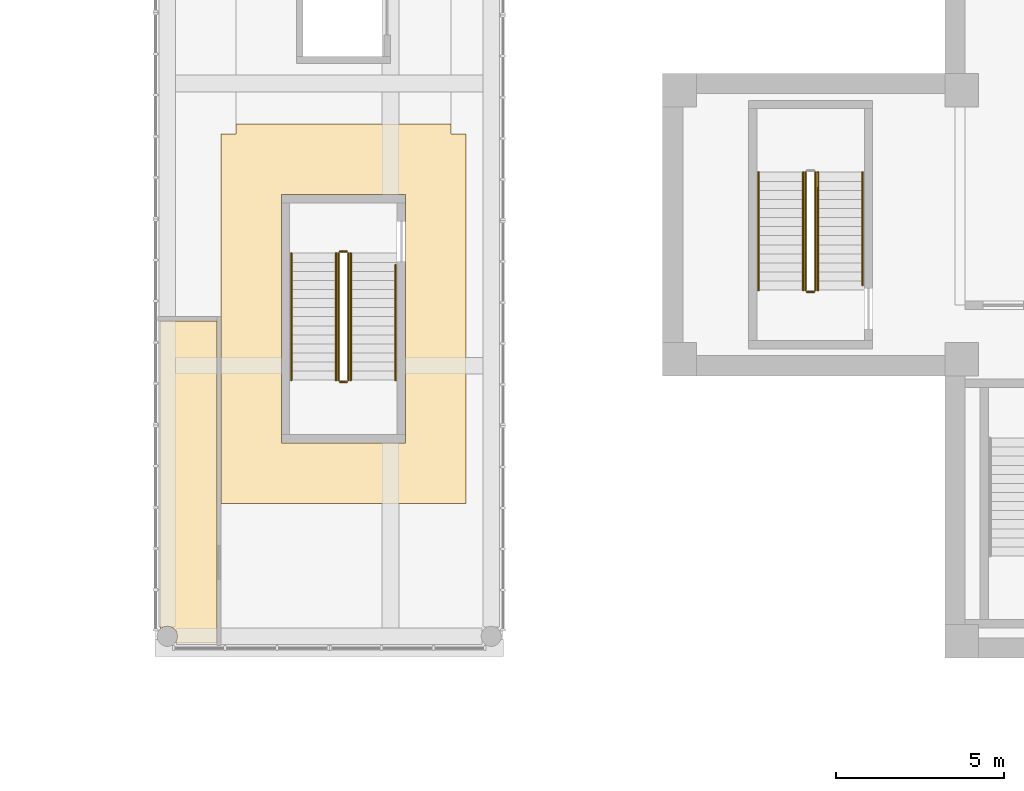
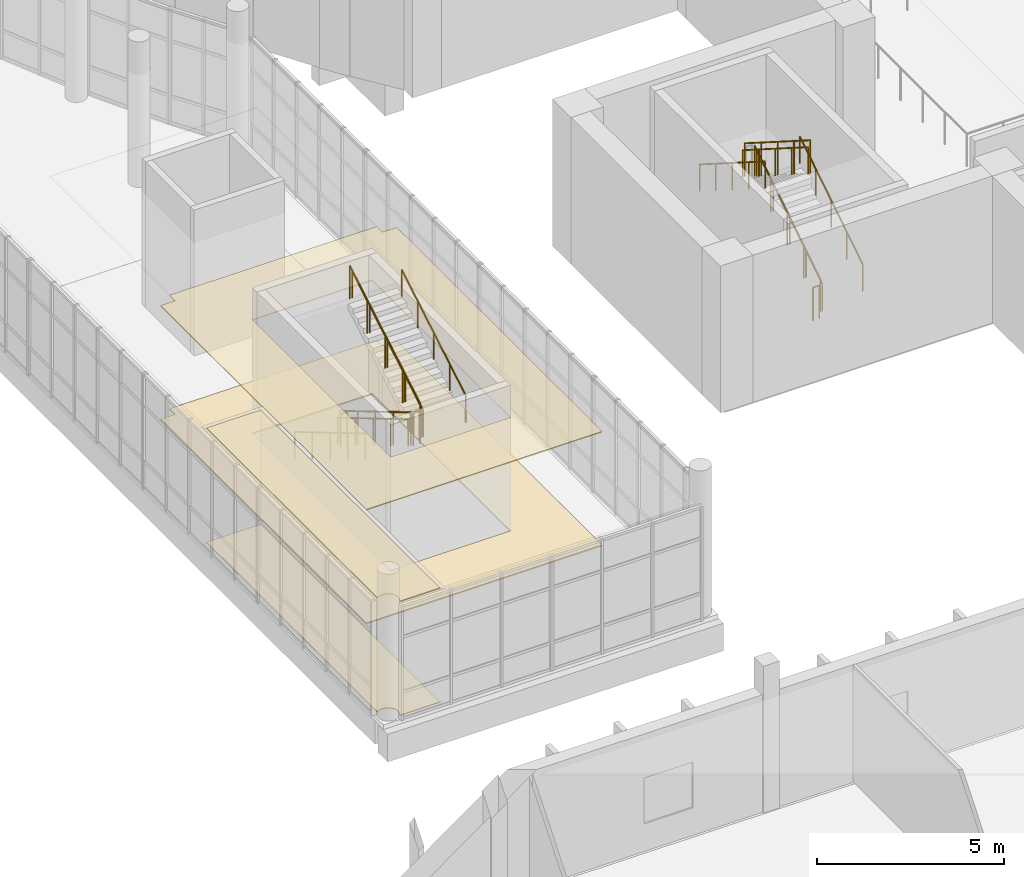
# One storey, part 89 of 119: 15 railings, 4 coverings.
"""IFC4 building model written with IfcOpenShell, lengths in metres."""

from ifc_helpers import new_model, si_unit, direction, frame, origin, origin_2d, place, context, subcontext, project, spatial, polyline, circle, outline, extrude, material, layer, layer_set, type_object, element, save


model = new_model("IFC4")

# Units and contexts
model_context = context("Model", 3, precision=1e-05, world=origin(), true_north=direction((0.0, 1.0)))
body_context = subcontext(model_context, "Body", "Model", "MODEL_VIEW")
ifc_project = project(units=[si_unit("LENGTHUNIT", "METRE"), si_unit("AREAUNIT", "SQUARE_METRE"), si_unit("VOLUMEUNIT", "CUBIC_METRE"), si_unit("PLANEANGLEUNIT", "RADIAN"), si_unit("MASSUNIT", "GRAM", prefix="KILO")], contexts=[model_context])

# Site, building, storey
site_placement = place(None, origin())
site = spatial("IfcSite", under=ifc_project, at=site_placement, CompositionType="ELEMENT")
building_placement = place(site_placement, origin())
building = spatial("IfcBuilding", under=site, at=building_placement, Name="Larchfold Concert Hall", CompositionType="ELEMENT")
storey_placement = place(building_placement, frame((0.0, 0.0, 4.800048828125)))
storey = spatial("IfcBuildingStorey", under=building, at=storey_placement, Name="L01", CompositionType="ELEMENT", Elevation=4.800048828125)

# Coverings
ifc_material_1 = material(Name="Plasterboard ceiling lining")
ifc_layer_1 = layer(ifc_material_1, 0.030029296875)
ifc_layer_set_1 = layer_set([ifc_layer_1], Name="Plasterboard ceiling lining")
covering_type_1 = type_object("IfcCoveringType", Name="Ceiling suspended plasterboard 30", PredefinedType="CEILING", material=ifc_layer_set_1)
covering_1_placement = place(storey_placement, frame((0.0, 0.0, 3.719970703125)))
element("IfcCovering", 1, at=covering_1_placement, inside=storey, type_object=covering_type_1, Name="Ceiling Foyer 04", PredefinedType="CEILING", context=body_context, shape_type="SweptSolid", body=[
    extrude(outline(polyline([(12.350830078125, 49.4990234375), (12.350830078125, 44.0625), (12.362548828125, 44.0625), (12.362548828125, 38.5009765625), (19.649169921875, 38.5009765625), (19.649169921875, 49.4990234375), (19.199462890625, 49.4990234375), (19.199462890625, 49.800048828125), (12.800537109375, 49.800048828125), (12.800537109375, 49.4990234375), (12.350830078125, 49.4990234375)]), holes=[polyline([(14.14990234375, 40.300048828125), (14.14990234375, 47.699951171875), (17.842529296875, 47.699951171875), (17.85009765625, 47.696044921875), (17.85009765625, 40.300048828125), (14.14990234375, 40.300048828125)])]), origin(), (0.0, 0.0, 1.0), 0.030029296875),
])
covering_2_placement = place(storey_placement, frame((0.0, 0.0, 3.719970703125)))
element("IfcCovering", 2, at=covering_2_placement, inside=storey, type_object=covering_type_1, Name="Ceiling Education Garden Room", PredefinedType="CEILING", context=body_context, shape_type="SweptSolid", body=[
    extrude(outline(polyline([(12.300048828125, 34.349853515625), (12.237548828125, 34.35009765625), (12.237548828125, 43.9375), (10.558349609375, 43.9375), (10.558349609375, 34.773193359375), (10.608154296875, 34.809814453125), (10.643310546875, 34.8271484375), (10.718994140625, 34.847412109375), (10.758056640625, 34.85009765625), (10.797119140625, 34.847412109375), (10.872802734375, 34.8271484375), (10.940673828125, 34.7880859375), (10.97021484375, 34.76220703125), (11.017822265625, 34.699951171875), (11.03515625, 34.664794921875), (11.0478515625, 34.627685546875), (11.05810546875, 34.550048828125), (11.0478515625, 34.472412109375), (11.03515625, 34.435302734375), (11.017822265625, 34.400146484375), (10.980712890625, 34.349853515625), (12.300048828125, 34.349853515625)])), origin(), (0.0, 0.0, 1.0), 0.030029296875),
])
ifc_material_2 = material(Name="Polished terrazzo")
ifc_layer_2 = layer(ifc_material_2, 0.0400390625)
ifc_layer_set_2 = layer_set([ifc_layer_2], Name="Polished terrazzo")
covering_type_2 = type_object("IfcCoveringType", Name="Floor finish terrazzo 40", PredefinedType="FLOORING", material=ifc_layer_set_2)
covering_3_placement = place(storey_placement, origin())
element("IfcCovering", 3, at=covering_3_placement, inside=storey, type_object=covering_type_2, Name="Floor finish Foyer 04", PredefinedType="FLOORING", context=body_context, shape_type="SweptSolid", body=[
    extrude(outline(polyline([(12.350830078125, 49.4990234375), (12.350830078125, 44.0625), (12.362548828125, 44.0625), (12.362548828125, 38.5009765625), (19.649169921875, 38.5009765625), (19.649169921875, 49.4990234375), (19.199462890625, 49.4990234375), (19.199462890625, 49.800048828125), (12.800537109375, 49.800048828125), (12.800537109375, 49.4990234375), (12.350830078125, 49.4990234375)]), holes=[polyline([(14.14990234375, 40.300048828125), (14.14990234375, 47.699951171875), (17.842529296875, 47.699951171875), (17.85009765625, 47.696044921875), (17.85009765625, 40.300048828125), (14.14990234375, 40.300048828125)])]), origin(), (0.0, 0.0, 1.0), 0.0400390625),
])
ifc_material_3 = material(Name="Linoleum sheet")
ifc_layer_3 = layer(ifc_material_3, 0.02001953125)
ifc_layer_set_3 = layer_set([ifc_layer_3], Name="Linoleum sheet")
covering_type_3 = type_object("IfcCoveringType", Name="Floor finish vinyl 20", PredefinedType="FLOORING", material=ifc_layer_set_3)
covering_4_placement = place(storey_placement, origin())
element("IfcCovering", 4, at=covering_4_placement, inside=storey, type_object=covering_type_3, Name="Floor finish Education Garden Room", PredefinedType="FLOORING", context=body_context, shape_type="SweptSolid", body=[
    extrude(outline(polyline([(12.300048828125, 34.349853515625), (12.237548828125, 34.35009765625), (12.237548828125, 43.9375), (10.558349609375, 43.9375), (10.558349609375, 34.773193359375), (10.608154296875, 34.809814453125), (10.643310546875, 34.8271484375), (10.718994140625, 34.847412109375), (10.758056640625, 34.85009765625), (10.797119140625, 34.847412109375), (10.872802734375, 34.8271484375), (10.940673828125, 34.7880859375), (10.97021484375, 34.76220703125), (11.017822265625, 34.699951171875), (11.03515625, 34.664794921875), (11.0478515625, 34.627685546875), (11.05810546875, 34.550048828125), (11.0478515625, 34.472412109375), (11.03515625, 34.435302734375), (11.017822265625, 34.400146484375), (10.980712890625, 34.349853515625), (12.300048828125, 34.349853515625)])), origin(), (0.0, 0.0, 1.0), 0.02001953125),
])

# Railings
ifc_material_4 = material(Name="Stainless steel balustrade", Category="steel")
railing_type_1 = type_object("IfcRailingType", Name="Stair guard 1100", PredefinedType="GUARDRAIL", material=ifc_material_4)
railing_1_placement = place(storey_placement, frame((30.050048828125, 44.85009765625, 0.17138671875)))
element("IfcRailing", 5, at=railing_1_placement, inside=storey, type_object=railing_type_1, Name="Guard GR0035", PredefinedType="GUARDRAIL", context=body_context, shape_type="SweptSolid", body=[
    extrude(circle(Radius=0.02392578125, at=origin_2d()), frame((0.0, 0.0, 1.076171875), z_axis=(0.0, 0.844219563411, 0.53599750816), x_axis=(-1.0, 0.0, 0.0)), (0.0, 0.0, 1.0), 4.15771484375),
    extrude(circle(Radius=0.02099609375, at=origin_2d()), origin(), (0.0, 0.0, 1.0), 1.052001953125),
    extrude(circle(Radius=0.02099609375, at=origin_2d()), frame((0.0, 0.87744140625, 0.55712890625)), (0.0, 0.0, 1.0), 1.052001953125),
    extrude(circle(Radius=0.02099609375, at=origin_2d()), frame((0.0, 1.7548828125, 1.1142578125)), (0.0, 0.0, 1.0), 1.052001953125),
    extrude(circle(Radius=0.02099609375, at=origin_2d()), frame((0.0, 2.632568359375, 1.67138671875)), (0.0, 0.0, 1.0), 1.052001953125),
    extrude(circle(Radius=0.02099609375, at=origin_2d()), frame((0.0, 3.510009765625, 2.228515625)), (0.0, 0.0, 1.0), 1.052001953125),
])
railing_2_placement = place(storey_placement, frame((29.75, 48.360107421875, 2.5712890625)))
element("IfcRailing", 6, at=railing_2_placement, inside=storey, type_object=railing_type_1, Name="Guard GR0037", PredefinedType="GUARDRAIL", context=body_context, shape_type="SweptSolid", body=[
    extrude(circle(Radius=0.02392578125, at=origin_2d()), frame((0.0, 0.0, 1.076171875), z_axis=(0.0, -0.844192992368, 0.536039356425), x_axis=(1.0, 0.0, 0.0)), (0.0, 0.0, 1.0), 4.15771484375),
    extrude(circle(Radius=0.02099609375, at=origin_2d()), origin(), (0.0, 0.0, 1.0), 1.052001953125),
    extrude(circle(Radius=0.02099609375, at=origin_2d()), frame((0.0, -0.87744140625, 0.55712890625)), (0.0, 0.0, 1.0), 1.052001953125),
    extrude(circle(Radius=0.02099609375, at=origin_2d()), frame((0.0, -1.7548828125, 1.1142578125)), (0.0, 0.0, 1.0), 1.052001953125),
    extrude(circle(Radius=0.02099609375, at=origin_2d()), frame((0.0, -2.632568359375, 1.671630859375)), (0.0, 0.0, 1.0), 1.052001953125),
    extrude(circle(Radius=0.02099609375, at=origin_2d()), frame((0.0, -3.510009765625, 2.228759765625)), (0.0, 0.0, 1.0), 1.052001953125),
])
railing_3_placement = place(storey_placement, frame((30.0, 44.800048828125, 0.0)))
element("IfcRailing", 7, at=railing_3_placement, inside=storey, type_object=railing_type_1, Name="Guard GR0038", PredefinedType="GUARDRAIL", context=body_context, shape_type="SweptSolid", body=[
    extrude(circle(Radius=0.02392578125, at=origin_2d()), frame((0.0, 0.0, 1.076171875), z_axis=(-1.0, 0.0, 0.0), x_axis=(0.0, -1.0, 0.0)), (0.0, 0.0, 1.0), 0.199951171875),
    extrude(circle(Radius=0.02099609375, at=origin_2d()), origin(), (0.0, 0.0, 1.0), 1.052001953125),
    extrude(circle(Radius=0.02099609375, at=origin_2d()), frame((-0.199951171875, 0.0, 0.0)), (0.0, 0.0, 1.0), 1.052001953125),
])
railing_4_placement = place(storey_placement, frame((15.849853515625, 45.949951171875, 0.159912109375)))
element("IfcRailing", 8, at=railing_4_placement, inside=storey, type_object=railing_type_1, Name="Guard GR0085", PredefinedType="GUARDRAIL", context=body_context, shape_type="SweptSolid", body=[
    extrude(circle(Radius=0.02392578125, at=origin_2d()), frame((0.0, 0.0, 1.076171875), z_axis=(0.0, -0.860294241299, 0.509797821089), x_axis=(1.0, 0.0, 0.0)), (0.0, 0.0, 1.0), 4.393798828125),
    extrude(circle(Radius=0.02099609375, at=origin_2d()), origin(), (0.0, 0.0, 1.0), 1.052001953125),
    extrude(circle(Radius=0.02099609375, at=origin_2d()), frame((0.0, -0.945068359375, 0.56005859375)), (0.0, 0.0, 1.0), 1.052001953125),
    extrude(circle(Radius=0.02099609375, at=origin_2d()), frame((0.0, -1.89013671875, 1.1201171875)), (0.0, 0.0, 1.0), 1.052001953125),
    extrude(circle(Radius=0.02099609375, at=origin_2d()), frame((0.0, -2.8349609375, 1.679931640625)), (0.0, 0.0, 1.0), 1.052001953125),
    extrude(circle(Radius=0.02099609375, at=origin_2d()), frame((0.0, -3.780029296875, 2.239990234375)), (0.0, 0.0, 1.0), 1.052001953125),
])
railing_5_placement = place(storey_placement, frame((15.89990234375, 42.119873046875, 2.39990234375)))
element("IfcRailing", 9, at=railing_5_placement, inside=storey, type_object=railing_type_1, Name="Guard GR0086", PredefinedType="GUARDRAIL", context=body_context, shape_type="SweptSolid", body=[
    extrude(circle(Radius=0.02392578125, at=origin_2d()), frame((0.0, 0.0, 1.076171875), z_axis=(1.0, 0.0, 0.0), x_axis=(0.0, 1.0, 0.0)), (0.0, 0.0, 1.0), 0.199951171875),
    extrude(circle(Radius=0.02099609375, at=origin_2d()), origin(), (0.0, 0.0, 1.0), 1.052001953125),
    extrude(circle(Radius=0.02099609375, at=origin_2d()), frame((0.199951171875, 0.0, 0.0)), (0.0, 0.0, 1.0), 1.052001953125),
])
railing_6_placement = place(storey_placement, frame((16.14990234375, 42.169921875, 2.56005859375)))
element("IfcRailing", 10, at=railing_6_placement, inside=storey, type_object=railing_type_1, Name="Guard GR0087", PredefinedType="GUARDRAIL", context=body_context, shape_type="SweptSolid", body=[
    extrude(circle(Radius=0.02392578125, at=origin_2d()), frame((0.0, 0.0, 1.076171875), z_axis=(0.0, 0.860294241299, 0.509797821089), x_axis=(-1.0, 0.0, 0.0)), (0.0, 0.0, 1.0), 4.393798828125),
    extrude(circle(Radius=0.02099609375, at=origin_2d()), origin(), (0.0, 0.0, 1.0), 1.052001953125),
    extrude(circle(Radius=0.02099609375, at=origin_2d()), frame((0.0, 0.945068359375, 0.56005859375)), (0.0, 0.0, 1.0), 1.052001953125),
    extrude(circle(Radius=0.02099609375, at=origin_2d()), frame((0.0, 1.89013671875, 1.1201171875)), (0.0, 0.0, 1.0), 1.052001953125),
    extrude(circle(Radius=0.02099609375, at=origin_2d()), frame((0.0, 2.8349609375, 1.679931640625)), (0.0, 0.0, 1.0), 1.052001953125),
    extrude(circle(Radius=0.02099609375, at=origin_2d()), frame((0.0, 3.780029296875, 2.239990234375)), (0.0, 0.0, 1.0), 1.052001953125),
])
railing_7_placement = place(storey_placement, frame((15.89990234375, 46.0, 0.0)))
element("IfcRailing", 11, at=railing_7_placement, inside=storey, type_object=railing_type_1, Name="Guard GR0088", PredefinedType="GUARDRAIL", context=body_context, shape_type="SweptSolid", body=[
    extrude(circle(Radius=0.02392578125, at=origin_2d()), frame((0.0, 0.0, 1.076171875), z_axis=(1.0, 0.0, 0.0), x_axis=(0.0, 1.0, 0.0)), (0.0, 0.0, 1.0), 0.199951171875),
    extrude(circle(Radius=0.02099609375, at=origin_2d()), origin(), (0.0, 0.0, 1.0), 1.052001953125),
    extrude(circle(Radius=0.02099609375, at=origin_2d()), frame((0.199951171875, 0.0, 0.0)), (0.0, 0.0, 1.0), 1.052001953125),
])
ifc_material_5 = material(Name="Stainless steel handrail", Category="steel")
railing_type_2 = type_object("IfcRailingType", Name="Stair handrail 900", PredefinedType="HANDRAIL", material=ifc_material_5)
railing_8_placement = place(storey_placement, frame((31.449951171875, 45.000244140625, 0.2666015625)))
element("IfcRailing", 12, at=railing_8_placement, inside=storey, type_object=railing_type_2, Name="Handrail HR0033", PredefinedType="HANDRAIL", context=body_context, shape_type="SweptSolid", body=[
    extrude(circle(Radius=0.02392578125, at=origin_2d()), frame((0.0, 0.0, 0.8759765625), z_axis=(0.0, 0.844206646714, 0.536017851983), x_axis=(-1.0, 0.0, 0.0)), (0.0, 0.0, 1.0), 3.97998046875),
    extrude(circle(Radius=0.02099609375, at=origin_2d()), origin(), (0.0, 0.0, 1.0), 0.851806640625),
    extrude(circle(Radius=0.02099609375, at=origin_2d()), frame((0.0, 0.83984375, 0.533203125)), (0.0, 0.0, 1.0), 0.851806640625),
    extrude(circle(Radius=0.02099609375, at=origin_2d()), frame((0.0, 1.679931640625, 1.066650390625)), (0.0, 0.0, 1.0), 0.851806640625),
    extrude(circle(Radius=0.02099609375, at=origin_2d()), frame((0.0, 2.52001953125, 1.60009765625)), (0.0, 0.0, 1.0), 0.851806640625),
    extrude(circle(Radius=0.02099609375, at=origin_2d()), frame((0.0, 3.35986328125, 2.13330078125)), (0.0, 0.0, 1.0), 0.851806640625),
])
railing_9_placement = place(storey_placement, frame((28.35009765625, 48.360107421875, 2.5712890625)))
element("IfcRailing", 13, at=railing_9_placement, inside=storey, type_object=railing_type_2, Name="Handrail HR0034", PredefinedType="HANDRAIL", context=body_context, shape_type="SweptSolid", body=[
    extrude(circle(Radius=0.02392578125, at=origin_2d()), frame((0.0, 0.0, 0.8759765625), z_axis=(0.0, -0.844192992368, 0.536039356425), x_axis=(1.0, 0.0, 0.0)), (0.0, 0.0, 1.0), 4.15771484375),
    extrude(circle(Radius=0.02099609375, at=origin_2d()), origin(), (0.0, 0.0, 1.0), 0.851806640625),
    extrude(circle(Radius=0.02099609375, at=origin_2d()), frame((0.0, -0.87744140625, 0.55712890625)), (0.0, 0.0, 1.0), 0.851806640625),
    extrude(circle(Radius=0.02099609375, at=origin_2d()), frame((0.0, -1.7548828125, 1.1142578125)), (0.0, 0.0, 1.0), 0.851806640625),
    extrude(circle(Radius=0.02099609375, at=origin_2d()), frame((0.0, -2.632568359375, 1.671630859375)), (0.0, 0.0, 1.0), 0.851806640625),
    extrude(circle(Radius=0.02099609375, at=origin_2d()), frame((0.0, -3.510009765625, 2.228759765625)), (0.0, 0.0, 1.0), 0.851806640625),
])
railing_10_placement = place(storey_placement, frame((30.1201171875, 44.85009765625, 0.17138671875)))
element("IfcRailing", 14, at=railing_10_placement, inside=storey, type_object=railing_type_2, Name="Handrail HR0035", PredefinedType="HANDRAIL", context=body_context, shape_type="SweptSolid", body=[
    extrude(circle(Radius=0.02392578125, at=origin_2d()), frame((0.0, 0.0, 0.8759765625), z_axis=(0.0, 0.844219563411, 0.53599750816), x_axis=(-1.0, 0.0, 0.0)), (0.0, 0.0, 1.0), 4.15771484375),
    extrude(circle(Radius=0.02099609375, at=origin_2d()), origin(), (0.0, 0.0, 1.0), 0.851806640625),
    extrude(circle(Radius=0.02099609375, at=origin_2d()), frame((0.0, 0.87744140625, 0.55712890625)), (0.0, 0.0, 1.0), 0.851806640625),
    extrude(circle(Radius=0.02099609375, at=origin_2d()), frame((0.0, 1.7548828125, 1.1142578125)), (0.0, 0.0, 1.0), 0.851806640625),
    extrude(circle(Radius=0.02099609375, at=origin_2d()), frame((0.0, 2.632568359375, 1.67138671875)), (0.0, 0.0, 1.0), 0.851806640625),
    extrude(circle(Radius=0.02099609375, at=origin_2d()), frame((0.0, 3.510009765625, 2.228515625)), (0.0, 0.0, 1.0), 0.851806640625),
])
railing_11_placement = place(storey_placement, frame((29.679931640625, 48.360107421875, 2.5712890625)))
element("IfcRailing", 15, at=railing_11_placement, inside=storey, type_object=railing_type_2, Name="Handrail HR0036", PredefinedType="HANDRAIL", context=body_context, shape_type="SweptSolid", body=[
    extrude(circle(Radius=0.02392578125, at=origin_2d()), frame((0.0, 0.0, 0.8759765625), z_axis=(0.0, -0.844192992368, 0.536039356425), x_axis=(1.0, 0.0, 0.0)), (0.0, 0.0, 1.0), 4.15771484375),
    extrude(circle(Radius=0.02099609375, at=origin_2d()), origin(), (0.0, 0.0, 1.0), 0.851806640625),
    extrude(circle(Radius=0.02099609375, at=origin_2d()), frame((0.0, -0.87744140625, 0.55712890625)), (0.0, 0.0, 1.0), 0.851806640625),
    extrude(circle(Radius=0.02099609375, at=origin_2d()), frame((0.0, -1.7548828125, 1.1142578125)), (0.0, 0.0, 1.0), 0.851806640625),
    extrude(circle(Radius=0.02099609375, at=origin_2d()), frame((0.0, -2.632568359375, 1.671630859375)), (0.0, 0.0, 1.0), 0.851806640625),
    extrude(circle(Radius=0.02099609375, at=origin_2d()), frame((0.0, -3.510009765625, 2.228759765625)), (0.0, 0.0, 1.0), 0.851806640625),
])
railing_12_placement = place(storey_placement, frame((14.449951171875, 45.949951171875, 0.159912109375)))
element("IfcRailing", 16, at=railing_12_placement, inside=storey, type_object=railing_type_2, Name="Handrail HR0081", PredefinedType="HANDRAIL", context=body_context, shape_type="SweptSolid", body=[
    extrude(circle(Radius=0.02392578125, at=origin_2d()), frame((0.0, 0.0, 0.8759765625), z_axis=(0.0, -0.860294241299, 0.509797821089), x_axis=(1.0, 0.0, 0.0)), (0.0, 0.0, 1.0), 4.393798828125),
    extrude(circle(Radius=0.02099609375, at=origin_2d()), origin(), (0.0, 0.0, 1.0), 0.851806640625),
    extrude(circle(Radius=0.02099609375, at=origin_2d()), frame((0.0, -0.945068359375, 0.56005859375)), (0.0, 0.0, 1.0), 0.851806640625),
    extrude(circle(Radius=0.02099609375, at=origin_2d()), frame((0.0, -1.89013671875, 1.1201171875)), (0.0, 0.0, 1.0), 0.851806640625),
    extrude(circle(Radius=0.02099609375, at=origin_2d()), frame((0.0, -2.8349609375, 1.679931640625)), (0.0, 0.0, 1.0), 0.851806640625),
    extrude(circle(Radius=0.02099609375, at=origin_2d()), frame((0.0, -3.780029296875, 2.239990234375)), (0.0, 0.0, 1.0), 0.851806640625),
])
railing_13_placement = place(storey_placement, frame((17.5498046875, 42.169921875, 2.56005859375)))
element("IfcRailing", 17, at=railing_13_placement, inside=storey, type_object=railing_type_2, Name="Handrail HR0082", PredefinedType="HANDRAIL", context=body_context, shape_type="SweptSolid", body=[
    extrude(circle(Radius=0.02392578125, at=origin_2d()), frame((0.0, 0.0, 0.8759765625), z_axis=(0.0, 0.860316398594, 0.509760428348), x_axis=(-1.0, 0.0, 0.0)), (0.0, 0.0, 1.0), 3.987060546875),
    extrude(circle(Radius=0.02099609375, at=origin_2d()), origin(), (0.0, 0.0, 1.0), 0.851806640625),
    extrude(circle(Radius=0.02099609375, at=origin_2d()), frame((0.0, 0.857421875, 0.508056640625)), (0.0, 0.0, 1.0), 0.851806640625),
    extrude(circle(Radius=0.02099609375, at=origin_2d()), frame((0.0, 1.715087890625, 1.01611328125)), (0.0, 0.0, 1.0), 0.851806640625),
    extrude(circle(Radius=0.02099609375, at=origin_2d()), frame((0.0, 2.57275390625, 1.5244140625)), (0.0, 0.0, 1.0), 0.851806640625),
    extrude(circle(Radius=0.02099609375, at=origin_2d()), frame((0.0, 3.43017578125, 2.032470703125)), (0.0, 0.0, 1.0), 0.851806640625),
])
railing_14_placement = place(storey_placement, frame((15.77978515625, 45.949951171875, 0.159912109375)))
element("IfcRailing", 18, at=railing_14_placement, inside=storey, type_object=railing_type_2, Name="Handrail HR0083", PredefinedType="HANDRAIL", context=body_context, shape_type="SweptSolid", body=[
    extrude(circle(Radius=0.02392578125, at=origin_2d()), frame((0.0, 0.0, 0.8759765625), z_axis=(0.0, -0.860294241299, 0.509797821089), x_axis=(1.0, 0.0, 0.0)), (0.0, 0.0, 1.0), 4.393798828125),
    extrude(circle(Radius=0.02099609375, at=origin_2d()), origin(), (0.0, 0.0, 1.0), 0.851806640625),
    extrude(circle(Radius=0.02099609375, at=origin_2d()), frame((0.0, -0.945068359375, 0.56005859375)), (0.0, 0.0, 1.0), 0.851806640625),
    extrude(circle(Radius=0.02099609375, at=origin_2d()), frame((0.0, -1.89013671875, 1.1201171875)), (0.0, 0.0, 1.0), 0.851806640625),
    extrude(circle(Radius=0.02099609375, at=origin_2d()), frame((0.0, -2.8349609375, 1.679931640625)), (0.0, 0.0, 1.0), 0.851806640625),
    extrude(circle(Radius=0.02099609375, at=origin_2d()), frame((0.0, -3.780029296875, 2.239990234375)), (0.0, 0.0, 1.0), 0.851806640625),
])
railing_15_placement = place(storey_placement, frame((16.219970703125, 42.169921875, 2.56005859375)))
element("IfcRailing", 19, at=railing_15_placement, inside=storey, type_object=railing_type_2, Name="Handrail HR0084", PredefinedType="HANDRAIL", context=body_context, shape_type="SweptSolid", body=[
    extrude(circle(Radius=0.02392578125, at=origin_2d()), frame((0.0, 0.0, 0.8759765625), z_axis=(0.0, 0.860294241299, 0.509797821089), x_axis=(-1.0, 0.0, 0.0)), (0.0, 0.0, 1.0), 4.393798828125),
    extrude(circle(Radius=0.02099609375, at=origin_2d()), origin(), (0.0, 0.0, 1.0), 0.851806640625),
    extrude(circle(Radius=0.02099609375, at=origin_2d()), frame((0.0, 0.945068359375, 0.56005859375)), (0.0, 0.0, 1.0), 0.851806640625),
    extrude(circle(Radius=0.02099609375, at=origin_2d()), frame((0.0, 1.89013671875, 1.1201171875)), (0.0, 0.0, 1.0), 0.851806640625),
    extrude(circle(Radius=0.02099609375, at=origin_2d()), frame((0.0, 2.8349609375, 1.679931640625)), (0.0, 0.0, 1.0), 0.851806640625),
    extrude(circle(Radius=0.02099609375, at=origin_2d()), frame((0.0, 3.780029296875, 2.239990234375)), (0.0, 0.0, 1.0), 0.851806640625),
])

save(model, "model.ifc")
